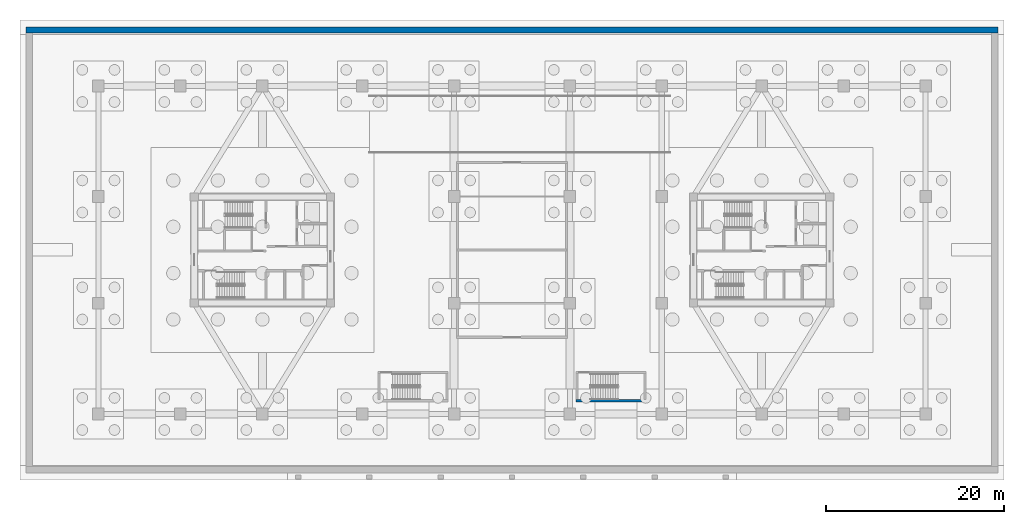
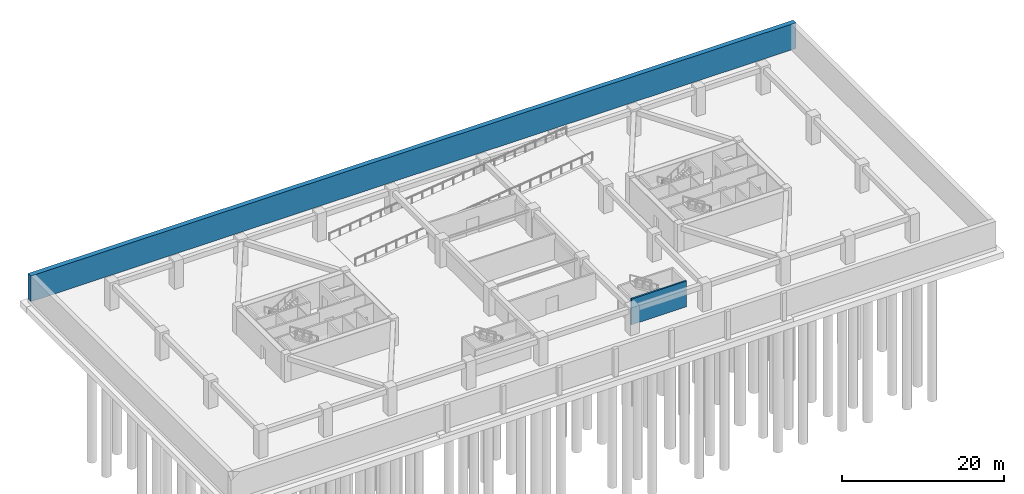
# One storey, part 7 of 14: 2 walls.
"""IFC4 building model written with IfcOpenShell, lengths in metres."""

from ifc_helpers import new_model, si_unit, direction, frame, frame_2d, origin, place, context, subcontext, project, spatial, rectangle, extrude, source, transform, mapped, material, layer, layer_set, type_object, type_shapes, element, save


model = new_model("IFC4")

# Units and contexts
model_context = context("Model", 3, precision=1e-05, world=origin(), true_north=direction((0.0, 1.0)))
body_context = subcontext(model_context, "Body", "Model", "MODEL_VIEW")
ifc_project = project(units=[si_unit("LENGTHUNIT", "METRE"), si_unit("AREAUNIT", "SQUARE_METRE"), si_unit("VOLUMEUNIT", "CUBIC_METRE"), si_unit("PLANEANGLEUNIT", "RADIAN"), si_unit("MASSUNIT", "GRAM", prefix="KILO")], contexts=[model_context])

# Site, building, storey
site_placement = place(None, origin())
site = spatial("IfcSite", under=ifc_project, at=site_placement, CompositionType="ELEMENT")
building_placement = place(site_placement, origin())
building = spatial("IfcBuilding", under=site, at=building_placement, Name="Norrkilde Senior Care Towers", CompositionType="ELEMENT")
storey_placement = place(building_placement, frame((0.0, 0.0, -8.39990234375)))
storey = spatial("IfcBuildingStorey", under=building, at=storey_placement, Name="B2", CompositionType="ELEMENT", Elevation=-8.39990234375)

# Walls
ifc_material_1 = material(Name="Concrete C50/60", Category="concrete")
ifc_layer_1 = layer(ifc_material_1, 0.679931640625)
ifc_layer_set_1 = layer_set([ifc_layer_1], Name="Concrete C50/60")
wall_type_1 = type_object("IfcWallType", Name="Basement Retaining Wall 680", PredefinedType="SOLIDWALL", material=ifc_layer_set_1)
shared_shape_1 = source(origin(), body_context, "Body", "SweptSolid", [
    extrude(rectangle(XDim=109.0, YDim=0.679931640625, at=frame_2d((54.5, 0.0))), origin(), (0.0, 0.0, 1.0), 3.8798828125),
])
type_shapes(wall_type_1, [shared_shape_1])
wall_1_placement = place(storey_placement, frame((54.5, 24.659912109375, 0.0), z_axis=(0.0, 0.0, 1.0), x_axis=(-1.0, 0.0, 0.0)))
element("IfcWall", 1, at=wall_1_placement, inside=storey, type_object=wall_type_1, Name="B2 N Perimeter Retaining Wall", PredefinedType="SOLIDWALL", context=body_context, shape_type="MappedRepresentation", body=[
    mapped(shared_shape_1, transform((0.0, 0.0, 0.0), x_axis=(1.0, 0.0, 0.0), y_axis=(0.0, 1.0, 0.0), z_axis=(0.0, 0.0, 1.0), scale=1.0)),
])
ifc_material_2 = material(Name="Concrete C45/55", Category="concrete")
ifc_layer_2 = layer(ifc_material_2, 0.239990234375)
ifc_layer_set_2 = layer_set([ifc_layer_2], Name="Concrete C45/55")
wall_type_2 = type_object("IfcWallType", Name="Shaft and Stair Enclosure Wall 240", PredefinedType="PARTITIONING", material=ifc_layer_set_2)
shared_shape_2 = source(origin(), body_context, "Body", "SweptSolid", [
    extrude(rectangle(XDim=7.880126953125, YDim=0.239990234375, at=frame_2d((3.93994140625, 0.0))), origin(), (0.0, 0.0, 1.0), 3.8798828125),
])
type_shapes(wall_type_2, [shared_shape_2])
wall_2_placement = place(storey_placement, frame((7.159912109375, -16.919921875, 0.0), z_axis=(0.0, 0.0, 1.0), x_axis=(1.0, 0.0, 0.0)))
element("IfcWall", 2, at=wall_2_placement, inside=storey, type_object=wall_type_2, Name="WL-INT-B2-STP2-S", PredefinedType="PARTITIONING", context=body_context, shape_type="MappedRepresentation", body=[
    mapped(shared_shape_2, transform((0.0, 0.0, 0.0), x_axis=(1.0, 0.0, 0.0), y_axis=(0.0, 1.0, 0.0), z_axis=(0.0, 0.0, 1.0), scale=1.0)),
])

save(model, "model.ifc")
